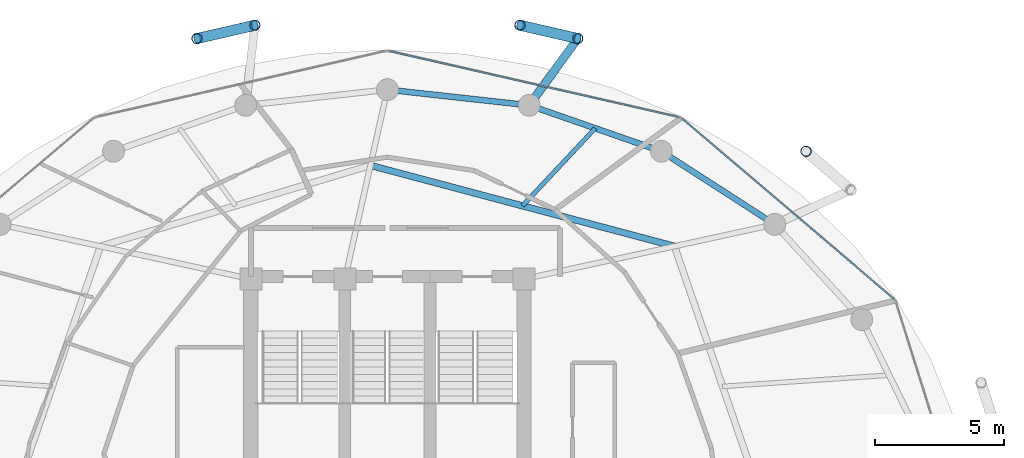
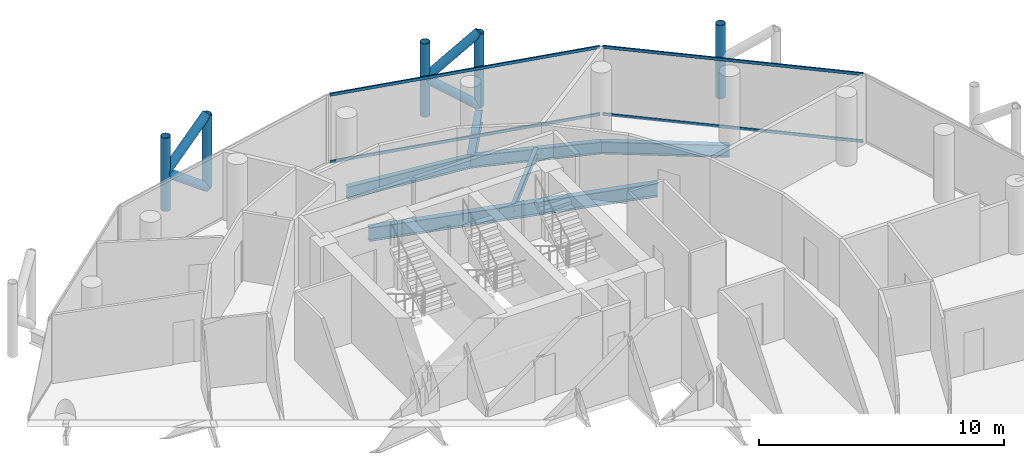
# One storey, part 20 of 27: 13 members, 6 beams, 2 elements without a shape of their own.
"""IFC4 building model written with IfcOpenShell, lengths in metres."""

from ifc_helpers import new_model, si_unit, direction, frame, origin, origin_2d, place, context, subcontext, project, spatial, hollow_rectangle, hollow_circle, i_section, extrude, material, layer, layer_set, material_profile, profile_set, type_object, element, aggregate, save


model = new_model("IFC4")

# Units and contexts
model_context = context("Model", 3, precision=1e-05, world=origin(), true_north=direction((0.0, 1.0)))
body_context = subcontext(model_context, "Body", "Model", "MODEL_VIEW")
ifc_project = project(units=[si_unit("LENGTHUNIT", "METRE"), si_unit("AREAUNIT", "SQUARE_METRE"), si_unit("VOLUMEUNIT", "CUBIC_METRE"), si_unit("PLANEANGLEUNIT", "RADIAN"), si_unit("MASSUNIT", "GRAM", prefix="KILO")], contexts=[model_context])

# Site, building, storey
site_placement = place(None, origin())
site = spatial("IfcSite", under=ifc_project, at=site_placement, CompositionType="ELEMENT")
building_placement = place(site_placement, origin())
building = spatial("IfcBuilding", under=site, at=building_placement, Name="Nuhasar Tower", CompositionType="ELEMENT")
storey_placement = place(building_placement, frame((0.0, 0.0, 219.10009765625)))
storey = spatial("IfcBuildingStorey", under=building, at=storey_placement, Name="L53", CompositionType="ELEMENT", Elevation=219.10009765625)

# Beams
ifc_material_1 = material(Name="Steel S355", Category="steel")
ifc_material_profile_1 = material_profile(ifc_material_1, i_section(OverallWidth=0.25390625, OverallDepth=0.68408203125, WebThickness=0.012451171875, FlangeThickness=0.018798828125, at=origin_2d()), Name="W27X94")
ifc_profile_set_1 = profile_set([ifc_material_profile_1], Name="Steel S355")
beam_type_1 = type_object("IfcBeamType", Name="BM-INRING-W27X94", PredefinedType="BEAM", material=ifc_profile_set_1)
beam_1_placement = place(storey_placement, frame((50.135986328125, 38.572998046875, -0.58203125), z_axis=(-0.966410333243, 0.257004022929, 0.0), x_axis=(-0.257004022929, -0.966410333243, 0.0)))
element("IfcBeam", 1, at=beam_1_placement, inside=storey, type_object=beam_type_1, Name="L53 Inner Header Beam 05", PredefinedType="BEAM", context=body_context, shape_type="SweptSolid", body=[
    extrude(i_section(OverallWidth=0.25390625, OverallDepth=0.68408203125, WebThickness=0.012451171875, FlangeThickness=0.018798828125, at=origin_2d()), origin(), (0.0, 0.0, 1.0), 12.205810546875),
])
ifc_material_profile_2 = material_profile(ifc_material_1, i_section(OverallWidth=0.1708984375, OverallDepth=0.35205078125, WebThickness=0.0068359375, FlangeThickness=0.009765625, at=origin_2d()), Name="W14X30")
ifc_profile_set_2 = profile_set([ifc_material_profile_2], Name="Steel S355")
beam_type_2 = type_object("IfcBeamType", Name="BM-JST-W14X30", PredefinedType="JOIST", material=ifc_profile_set_2)
beam_2_placement = place(storey_placement, frame((44.238037109375, 40.14208984375, -0.416015625), z_axis=(0.684358245116, 0.729145933501, 0.0), x_axis=(-0.729145933501, 0.684358245116, 0.0)))
element("IfcBeam", 2, at=beam_2_placement, inside=storey, type_object=beam_type_2, Name="L53 Secondary Floor Joist 05", PredefinedType="JOIST", context=body_context, shape_type="SweptSolid", body=[
    extrude(i_section(OverallWidth=0.1708984375, OverallDepth=0.35205078125, WebThickness=0.0068359375, FlangeThickness=0.009765625, at=origin_2d()), origin(), (0.0, 0.0, 1.0), 4.12646484375),
])
ifc_material_profile_3 = material_profile(ifc_material_1, i_section(OverallWidth=0.22802734375, OverallDepth=0.60791015625, WebThickness=0.01123046875, FlangeThickness=0.017333984375, at=origin_2d()), Name="W24X76")
ifc_profile_set_3 = profile_set([ifc_material_profile_3], Name="Steel S355")
beam_type_3 = type_object("IfcBeamType", Name="BM-RING-W24X76", PredefinedType="SPANDREL", material=ifc_profile_set_3)
beam_3_placement = place(storey_placement, frame((54.02587890625, 39.422119140625, -0.544189453125), z_axis=(-0.840502144969, 0.541808217272, 0.0), x_axis=(-0.541808217272, -0.840502144969, 0.0)))
element("IfcBeam", 3, at=beam_3_placement, inside=storey, type_object=beam_type_3, Name="L53 Perimeter Ring Spandrel 04", PredefinedType="SPANDREL", context=body_context, shape_type="SweptSolid", body=[
    extrude(i_section(OverallWidth=0.22802734375, OverallDepth=0.60791015625, WebThickness=0.01123046875, FlangeThickness=0.017333984375, at=origin_2d()), origin(), (0.0, 0.0, 1.0), 5.236083984375),
])
beam_4_placement = place(storey_placement, frame((49.625, 42.259033203125, -0.544189453125), z_axis=(-0.944476764686, 0.328578211342, 0.0), x_axis=(-0.328578211342, -0.944476764686, 0.0)))
element("IfcBeam", 4, at=beam_4_placement, inside=storey, type_object=beam_type_3, Name="L53 Perimeter Ring Spandrel 05", PredefinedType="SPANDREL", context=body_context, shape_type="SweptSolid", body=[
    extrude(i_section(OverallWidth=0.22802734375, OverallDepth=0.60791015625, WebThickness=0.01123046875, FlangeThickness=0.017333984375, at=origin_2d()), origin(), (0.0, 0.0, 1.0), 5.42626953125),
])
beam_5_placement = place(storey_placement, frame((44.5, 44.0419921875, -0.544189453125), z_axis=(-0.993947060915, 0.109860093292, 0.0), x_axis=(-0.109860093292, -0.993947060915, 0.0)))
element("IfcBeam", 5, at=beam_5_placement, inside=storey, type_object=beam_type_3, Name="L53 Perimeter Ring Spandrel 06", PredefinedType="SPANDREL", context=body_context, shape_type="SweptSolid", body=[
    extrude(i_section(OverallWidth=0.22802734375, OverallDepth=0.60791015625, WebThickness=0.01123046875, FlangeThickness=0.017333984375, at=origin_2d()), origin(), (0.0, 0.0, 1.0), 5.533447265625),
])
ifc_material_profile_4 = material_profile(ifc_material_1, i_section(OverallWidth=0.323974609375, OverallDepth=0.611083984375, WebThickness=0.0126953125, FlangeThickness=0.01904296875, at=origin_2d()), Name="W24X104")
ifc_profile_set_4 = profile_set([ifc_material_profile_4], Name="Steel S355")
beam_type_4 = type_object("IfcBeamType", Name="BM-TIE-W24X104", PredefinedType="BEAM", material=ifc_profile_set_4)
beam_6_placement = place(storey_placement, frame((44.5, 44.0419921875, -0.545166015625), z_axis=(0.588094663461, 0.808792103577, 0.0), x_axis=(-0.808792103577, 0.588094663461, 0.0)))
element("IfcBeam", 6, at=beam_6_placement, inside=storey, type_object=beam_type_4, Name="L53 Exoskeleton Node Tie Beam 03", PredefinedType="BEAM", context=body_context, shape_type="SweptSolid", body=[
    extrude(i_section(OverallWidth=0.323974609375, OverallDepth=0.611083984375, WebThickness=0.0126953125, FlangeThickness=0.01904296875, at=origin_2d()), origin(), (0.0, 0.0, 1.0), 3.20361328125),
])

# Curtain wall, members
ifc_material_2 = material(Name="Aluminium 6063-T6", Category="aluminium")
ifc_layer = layer(ifc_material_2, 0.18994140625)
ifc_layer_set = layer_set([ifc_layer], Name="Aluminium 6063-T6")
curtain_wall_type = type_object("IfcCurtainWallType", Name="CW-Z3-RES", PredefinedType="NOTDEFINED", material=ifc_layer_set)
curtain_wall_1_placement = place(storey_placement, origin())
curtain_wall_1 = element("IfcCurtainWall", 7, at=curtain_wall_1_placement, inside=storey, type_object=curtain_wall_type, Name="L53 Unitised Curtain Wall 02", PredefinedType="NOTDEFINED")
ifc_material_profile_5 = material_profile(ifc_material_2, hollow_rectangle(XDim=0.06494140625, YDim=0.139892578125, WallThickness=0.00439453125, at=origin_2d()), Name="CWT-4")
ifc_profile_set_5 = profile_set([ifc_material_profile_5], Name="Aluminium 6063-T6")
member_type_1 = type_object("IfcMemberType", Name="CW-TRN-S4", PredefinedType="USERDEFINED", material=ifc_profile_set_5)
member_1_placement = place(storey_placement, frame((58.661376953125, 36.522216796875, 0.032470703125), z_axis=(-0.761730809511, 0.647893643928, 0.0), x_axis=(-0.647893643928, -0.761730809511, 0.0)))
member_1 = element("IfcMember", 8, at=member_1_placement, type_object=member_type_1, Name="CW-Z3 transom 1.1", ObjectType="TRANSOM", PredefinedType="USERDEFINED", context=body_context, shape_type="SweptSolid", body=[
    extrude(hollow_rectangle(XDim=0.06494140625, YDim=0.139892578125, WallThickness=0.00439453125, at=origin_2d()), origin(), (0.0, 0.0, 1.0), 10.806884765625),
])
member_2_placement = place(storey_placement, frame((58.661376953125, 36.522216796875, 3.37744140625), z_axis=(-0.761730809511, 0.647893643928, 0.0), x_axis=(-0.647893643928, -0.761730809511, 0.0)))
member_2 = element("IfcMember", 9, at=member_2_placement, type_object=member_type_1, Name="CW-Z3 transom 1.2", ObjectType="TRANSOM", PredefinedType="USERDEFINED", context=body_context, shape_type="SweptSolid", body=[
    extrude(hollow_rectangle(XDim=0.06494140625, YDim=0.139892578125, WallThickness=0.00439453125, at=origin_2d()), origin(), (0.0, 0.0, 1.0), 10.806884765625),
])
aggregate(curtain_wall_1, [member_1, member_2])

curtain_wall_2_placement = place(storey_placement, origin())
curtain_wall_2 = element("IfcCurtainWall", 10, at=curtain_wall_2_placement, inside=storey, type_object=curtain_wall_type, Name="L53 Unitised Curtain Wall 03", PredefinedType="NOTDEFINED")
member_3_placement = place(storey_placement, frame((50.316650390625, 43.58056640625, 0.032470703125), z_axis=(-0.974994070913, 0.222230874732, 0.0), x_axis=(-0.222230874732, -0.974994070913, 0.0)))
member_3 = element("IfcMember", 11, at=member_3_placement, type_object=member_type_1, Name="CW-Z3 transom 1.1", ObjectType="TRANSOM", PredefinedType="USERDEFINED", context=body_context, shape_type="SweptSolid", body=[
    extrude(hollow_rectangle(XDim=0.06494140625, YDim=0.139892578125, WallThickness=0.00439453125, at=origin_2d()), origin(), (0.0, 0.0, 1.0), 11.541748046875),
])
member_4_placement = place(storey_placement, frame((50.316650390625, 43.58056640625, 3.37744140625), z_axis=(-0.974994070913, 0.222230874732, 0.0), x_axis=(-0.222230874732, -0.974994070913, 0.0)))
member_4 = element("IfcMember", 12, at=member_4_placement, type_object=member_type_1, Name="CW-Z3 transom 1.2", ObjectType="TRANSOM", PredefinedType="USERDEFINED", context=body_context, shape_type="SweptSolid", body=[
    extrude(hollow_rectangle(XDim=0.06494140625, YDim=0.139892578125, WallThickness=0.00439453125, at=origin_2d()), origin(), (0.0, 0.0, 1.0), 11.541748046875),
])
aggregate(curtain_wall_2, [member_3, member_4])

# Members
ifc_material_3 = material(Name="Steel S460", Category="steel")
ifc_material_profile_6 = material_profile(ifc_material_3, hollow_circle(Radius=0.203125, WallThickness=0.01904296875, at=origin_2d()), Name="HSS406.4X19.1")
ifc_profile_set_6 = profile_set([ifc_material_profile_6], Name="Steel S460")
member_type_2 = type_object("IfcMemberType", Name="EXO-BRONZE-406", PredefinedType="BRACE", material=ifc_profile_set_6)
for number, where, z_axis, x_axis, name in (
    (13, (55.239990234375, 42.257080078125, 0.0), (0.0, 0.0, 1.0), (1.0, 0.0, 0.0), "L53 Exoskeleton Chord Column EC-02B"),
    (14, (46.384033203125, 46.633056640625, 0.0), (0.0, 0.0, 1.0), (1.0, 0.0, 0.0), "L53 Exoskeleton Chord Column EC-03A"),
    (15, (44.14306640625, 47.14892578125, 0.0), (0.0, 0.0, 1.0), (1.0, 0.0, 0.0), "L53 Exoskeleton Chord Column EC-03B"),
    (16, (33.85693359375, 47.14892578125, 0.0), (0.0, 0.0, 1.0), (1.0, 0.0, 0.0), "L53 Exoskeleton Chord Column EC-04A"),
    (17, (31.615966796875, 46.633056640625, 0.0), (0.0, 0.0, 1.0), (1.0, 0.0, 0.0), "L53 Exoskeleton Chord Column EC-04B"),
):
    element("IfcMember", number, at=place(storey_placement, frame(where, z_axis=z_axis, x_axis=x_axis)), inside=storey, type_object=member_type_2, Name=name, PredefinedType="BRACE", context=body_context, shape_type="SweptSolid", body=[
        extrude(hollow_circle(Radius=0.203125, WallThickness=0.01904296875, at=origin_2d()), origin(), (0.0, 0.0, 1.0), 3.64990234375),
    ])
for number, where, z_axis, x_axis, name in (
    (18, (46.384033203125, 46.633056640625, 0.0), (-0.763342741922, 0.175721016852, 0.621634927101), (-0.224332214284, -0.974512728308, 0.0), "L53 Bronze Diagrid Brace W1-03"),
    (19, (44.14306640625, 47.14892578125, 1.824951171875), (0.763342741922, -0.175721016852, 0.621634927101), (0.224332214284, 0.974512728308, 0.0), "L53 Bronze Diagrid Brace W2-03"),
    (20, (33.85693359375, 47.14892578125, 0.0), (-0.763342741922, -0.175721016852, 0.621634927101), (0.224332214284, -0.974512728308, 0.0), "L53 Bronze Diagrid Brace W1-04"),
    (21, (31.615966796875, 46.633056640625, 1.824951171875), (0.763342741922, 0.175721016852, 0.621634927101), (-0.224332214284, 0.974512728308, 0.0), "L53 Bronze Diagrid Brace W2-04"),
):
    element("IfcMember", number, at=place(storey_placement, frame(where, z_axis=z_axis, x_axis=x_axis)), inside=storey, type_object=member_type_2, Name=name, PredefinedType="BRACE", context=body_context, shape_type="SweptSolid", body=[
        extrude(hollow_circle(Radius=0.203125, WallThickness=0.01904296875, at=origin_2d()), origin(), (0.0, 0.0, 1.0), 2.935791015625),
    ])

save(model, "model.ifc")
